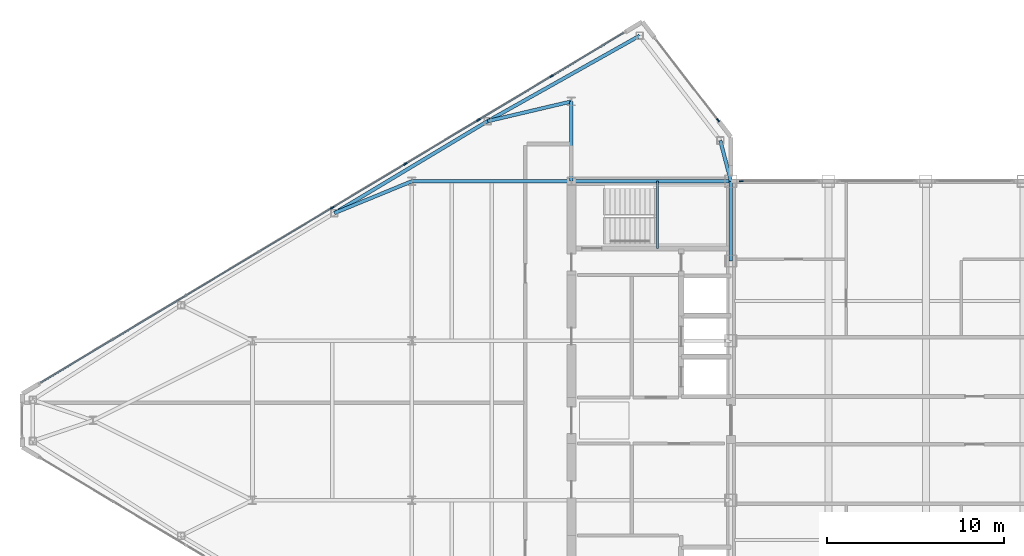
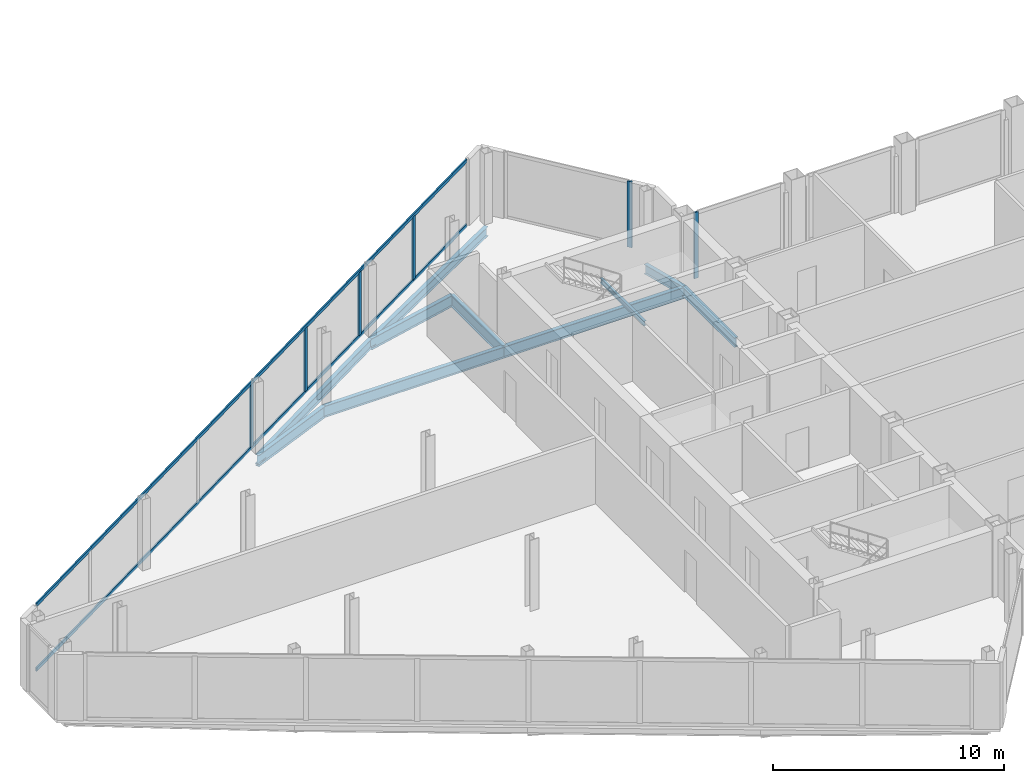
# One storey, part 11 of 28: 10 beams, 8 members, 3 elements without a shape of their own.
"""IFC4 building model written with IfcOpenShell, lengths in metres."""

from ifc_helpers import new_model, si_unit, direction, frame, origin, origin_2d, place, context, subcontext, project, spatial, rectangle, i_section, extrude, source, transform, mapped, material, layer, layer_set, material_profile, profile_set, type_object, type_shapes, element, aggregate, save


model = new_model("IFC4")

# Units and contexts
model_context = context("Model", 3, precision=1e-05, world=origin(), true_north=direction((0.0, 1.0)))
body_context = subcontext(model_context, "Body", "Model", "MODEL_VIEW")
ifc_project = project(units=[si_unit("LENGTHUNIT", "METRE"), si_unit("AREAUNIT", "SQUARE_METRE"), si_unit("VOLUMEUNIT", "CUBIC_METRE"), si_unit("PLANEANGLEUNIT", "RADIAN"), si_unit("MASSUNIT", "GRAM", prefix="KILO")], contexts=[model_context])

# Site, building, storey
site_placement = place(None, origin())
site = spatial("IfcSite", under=ifc_project, at=site_placement, CompositionType="ELEMENT")
building_placement = place(site_placement, origin())
building = spatial("IfcBuilding", under=site, at=building_placement, Name="Seokmaru Belvedere", CompositionType="ELEMENT")
storey_placement = place(building_placement, frame((0.0, 0.0, 265.64990234375)))
storey = spatial("IfcBuildingStorey", under=building, at=storey_placement, Name="L70", CompositionType="ELEMENT", Elevation=265.64990234375)

# Beams
ifc_material_1 = material(Name="Steel SM355 (355 MPa)", Category="steel")
ifc_material_profile_1 = material_profile(ifc_material_1, i_section(OverallWidth=0.199951171875, OverallDepth=0.5, WebThickness=0.010009765625, FlangeThickness=0.01611328125, at=origin_2d()), Name="H-500x200x10x16")
ifc_profile_set_1 = profile_set([ifc_material_profile_1], Name="Steel SM355 (355 MPa)")
beam_type_1 = type_object("IfcBeamType", Name="Perimeter Spandrel Beam H-500", PredefinedType="SPANDREL", material=ifc_profile_set_1)
shared_shape_1 = source(origin(), body_context, "Body", "SweptSolid", [
    extrude(i_section(OverallWidth=0.199951171875, OverallDepth=0.5, WebThickness=0.010009765625, FlangeThickness=0.01611328125, at=origin_2d()), origin(), (0.0, 0.0, 1.0), 4.5),
])
beam_1_placement = place(storey_placement, frame((-27.5, 9.0, -0.469970703125), z_axis=(0.0, 1.0, 0.0), x_axis=(-1.0, 0.0, 0.0)))
element("IfcBeam", 1, at=beam_1_placement, inside=storey, type_object=beam_type_1, Name="L70 W Portal Spine Spandrel 5", PredefinedType="SPANDREL", context=body_context, shape_type="MappedRepresentation", body=[
    mapped(shared_shape_1, transform((0.0, 0.0, 0.0), scale=1.0)),
])
ifc_material_profile_2 = material_profile(ifc_material_1, i_section(OverallWidth=0.199951171875, OverallDepth=0.60009765625, WebThickness=0.010986328125, FlangeThickness=0.01708984375, at=origin_2d()), Name="H-600x200x11x17")
ifc_profile_set_2 = profile_set([ifc_material_profile_2], Name="Steel SM355 (355 MPa)")
beam_type_2 = type_object("IfcBeamType", Name="Primary Floor Girder H-600", PredefinedType="BEAM", material=ifc_profile_set_2)
shared_shape_2 = source(origin(), body_context, "Body", "SweptSolid", [
    extrude(i_section(OverallWidth=0.199951171875, OverallDepth=0.60009765625, WebThickness=0.010986328125, FlangeThickness=0.01708984375, at=origin_2d()), origin(), (0.0, 0.0, 1.0), 9.0),
])
for number, where, z_axis, x_axis, name in (
    (2, (-36.5, 13.5, -0.52001953125), (1.0, 0.0, 0.0), (0.0, 1.0, 0.0), "L70 W Core Tie Girder 4"),
    (3, (-45.5, 13.5, -0.52001953125), (1.0, 0.0, 0.0), (0.0, 1.0, 0.0), "L70 W Wing Primary Girder 4"),
):
    element("IfcBeam", number, at=place(storey_placement, frame(where, z_axis=z_axis, x_axis=x_axis)), inside=storey, type_object=beam_type_2, Name=name, PredefinedType="BEAM", context=body_context, shape_type="MappedRepresentation", body=[
        mapped(shared_shape_2, transform((0.0, 0.0, 0.0), scale=1.0)),
    ])
shared_shape_3 = source(origin(), body_context, "Body", "SweptSolid", [
    extrude(i_section(OverallWidth=0.199951171875, OverallDepth=0.60009765625, WebThickness=0.010986328125, FlangeThickness=0.01708984375, at=origin_2d()), origin(), (0.0, 0.0, 1.0), 4.5),
])
beam_2_placement = place(storey_placement, frame((-36.5, 13.5, -0.52001953125), z_axis=(0.0, 1.0, 0.0), x_axis=(-1.0, 0.0, 0.0)))
element("IfcBeam", 4, at=beam_2_placement, inside=storey, type_object=beam_type_2, Name="L70 W Core Shoulder Girder N", PredefinedType="BEAM", context=body_context, shape_type="MappedRepresentation", body=[
    mapped(shared_shape_3, transform((0.0, 0.0, 0.0), scale=1.0)),
])
shared_shape_4 = source(origin(), body_context, "Body", "SweptSolid", [
    extrude(i_section(OverallWidth=0.199951171875, OverallDepth=0.5, WebThickness=0.010009765625, FlangeThickness=0.01611328125, at=origin_2d()), origin(), (0.0, 0.0, 1.0), 9.842041015625),
])
beam_3_placement = place(storey_placement, frame((-32.649658203125, 21.71044921875, -0.469970703125), z_axis=(-0.871782151818, -0.489893743349, 0.0), x_axis=(0.489893743349, -0.871782151818, 0.0)))
element("IfcBeam", 5, at=beam_3_placement, inside=storey, type_object=beam_type_1, Name="L70 W Faceted Flank Spandrel N-1", PredefinedType="SPANDREL", context=body_context, shape_type="MappedRepresentation", body=[
    mapped(shared_shape_4, transform((0.0, 0.0, 0.0), scale=1.0)),
])
shared_shape_5 = source(origin(), body_context, "Body", "SweptSolid", [
    extrude(i_section(OverallWidth=0.199951171875, OverallDepth=0.5, WebThickness=0.010009765625, FlangeThickness=0.01611328125, at=origin_2d()), origin(), (0.0, 0.0, 1.0), 10.087646484375),
])
beam_4_placement = place(storey_placement, frame((-41.229736328125, 16.888916015625, -0.469970703125), z_axis=(-0.857499332045, -0.514485078056, 0.0), x_axis=(0.514485078056, -0.857499332045, 0.0)))
element("IfcBeam", 6, at=beam_4_placement, inside=storey, type_object=beam_type_1, Name="L70 W Faceted Flank Spandrel N-2", PredefinedType="SPANDREL", context=body_context, shape_type="MappedRepresentation", body=[
    mapped(shared_shape_5, transform((0.0, 0.0, 0.0), scale=1.0)),
])
shared_shape_6 = source(origin(), body_context, "Body", "SweptSolid", [
    extrude(i_section(OverallWidth=0.199951171875, OverallDepth=0.5, WebThickness=0.010009765625, FlangeThickness=0.01611328125, at=origin_2d()), origin(), (0.0, 0.0, 1.0), 2.373046875),
])
type_shapes(beam_type_1, [shared_shape_1, shared_shape_4, shared_shape_5, shared_shape_6])
beam_5_placement = place(storey_placement, frame((-28.10009765625, 15.7958984375, -0.469970703125), z_axis=(0.252882558842, -0.967496982648, 0.0), x_axis=(0.967496982648, 0.252882558842, 0.0)))
element("IfcBeam", 7, at=beam_5_placement, inside=storey, type_object=beam_type_1, Name="L70 W Shoulder Spine Spandrel N", PredefinedType="SPANDREL", context=body_context, shape_type="MappedRepresentation", body=[
    mapped(shared_shape_6, transform((0.0, 0.0, 0.0), scale=1.0)),
])
shared_shape_7 = source(origin(), body_context, "Body", "SweptSolid", [
    extrude(i_section(OverallWidth=0.199951171875, OverallDepth=0.60009765625, WebThickness=0.010986328125, FlangeThickness=0.01708984375, at=origin_2d()), origin(), (0.0, 0.0, 1.0), 4.8583984375),
])
beam_6_placement = place(storey_placement, frame((-41.229736328125, 16.888916015625, -0.52001953125), z_axis=(0.97349948295, 0.228689214211, 0.0), x_axis=(-0.228689214211, 0.97349948295, 0.0)))
element("IfcBeam", 8, at=beam_6_placement, inside=storey, type_object=beam_type_2, Name="L70 W Flank Radial Floor Girder N-1", PredefinedType="BEAM", context=body_context, shape_type="MappedRepresentation", body=[
    mapped(shared_shape_7, transform((0.0, 0.0, 0.0), scale=1.0)),
])
shared_shape_8 = source(origin(), body_context, "Body", "SweptSolid", [
    extrude(i_section(OverallWidth=0.199951171875, OverallDepth=0.60009765625, WebThickness=0.010986328125, FlangeThickness=0.01708984375, at=origin_2d()), origin(), (0.0, 0.0, 1.0), 4.73583984375),
])
type_shapes(beam_type_2, [shared_shape_2, shared_shape_3, shared_shape_7, shared_shape_8])
beam_7_placement = place(storey_placement, frame((-49.8798828125, 11.698974609375, -0.52001953125), z_axis=(0.924860562953, 0.380306375301, 0.0), x_axis=(-0.380306375301, 0.924860562953, 0.0)))
element("IfcBeam", 9, at=beam_7_placement, inside=storey, type_object=beam_type_2, Name="L70 W Flank Radial Floor Girder N-2", PredefinedType="BEAM", context=body_context, shape_type="MappedRepresentation", body=[
    mapped(shared_shape_8, transform((0.0, 0.0, 0.0), scale=1.0)),
])

# Curtain wall, members
ifc_material_2 = material(Name="Bronze Triple Insulating Glass", Category="glass")
ifc_layer = layer(ifc_material_2, 0.219970703125)
ifc_layer_set = layer_set([ifc_layer], Name="Bronze Triple Insulating Glass")
curtain_wall_type = type_object("IfcCurtainWallType", Name="Sky-Gate Bridge Panorama Curtain Wall System CW-6", PredefinedType="NOTDEFINED", material=ifc_layer_set)
curtain_wall_1_placement = place(storey_placement, origin())
curtain_wall_1 = element("IfcCurtainWall", 10, at=curtain_wall_1_placement, inside=storey, type_object=curtain_wall_type, Name="L70 Curtain Wall WF3", PredefinedType="NOTDEFINED")
ifc_material_3 = material(Name="Anodised Bronze Aluminium", Category="aluminium")
ifc_material_profile_3 = material_profile(ifc_material_3, rectangle(XDim=0.074951171875, YDim=0.179931640625, at=origin_2d()), Name="CW-T-75x180")
ifc_profile_set_3 = profile_set([ifc_material_profile_3], Name="Anodised Bronze Aluminium")
member_type_1 = type_object("IfcMemberType", Name="Bronze Unitised Transom 75x180", PredefinedType="USERDEFINED", material=ifc_profile_set_3)
shared_shape_9 = source(origin(), body_context, "Body", "SweptSolid", [
    extrude(rectangle(XDim=0.074951171875, YDim=0.179931640625, at=origin_2d()), origin(), (0.0, 0.0, 1.0), 38.356689453125),
])
type_shapes(member_type_1, [shared_shape_9])
member_1_placement = place(storey_placement, frame((-33.5546875, 21.8671875, 0.03759765625), z_axis=(-0.857492925713, -0.514495755428, 0.0), x_axis=(0.514495755428, -0.857492925713, 0.0)))
member_1 = element("IfcMember", 11, at=member_1_placement, type_object=member_type_1, Name="CW:L70:WF3 Continuous Transom 1", ObjectType="TRANSOM", PredefinedType="USERDEFINED", context=body_context, shape_type="MappedRepresentation", body=[
    mapped(shared_shape_9, transform((0.0, 0.0, 0.0), scale=1.0)),
])
member_2_placement = place(storey_placement, frame((-33.5546875, 21.8671875, 3.45263671875), z_axis=(-0.857492925713, -0.514495755428, 0.0), x_axis=(0.514495755428, -0.857492925713, 0.0)))
member_2 = element("IfcMember", 12, at=member_2_placement, type_object=member_type_1, Name="CW:L70:WF3 Continuous Transom 2", ObjectType="TRANSOM", PredefinedType="USERDEFINED", context=body_context, shape_type="MappedRepresentation", body=[
    mapped(shared_shape_9, transform((0.0, 0.0, 0.0), scale=1.0)),
])

# Curtain wall, member
curtain_wall_2_placement = place(storey_placement, origin())
curtain_wall_2 = element("IfcCurtainWall", 13, at=curtain_wall_2_placement, inside=storey, type_object=curtain_wall_type, Name="L70 Curtain Wall WF2", PredefinedType="NOTDEFINED")
ifc_material_profile_4 = material_profile(ifc_material_3, rectangle(XDim=0.080078125, YDim=0.219970703125, at=origin_2d()), Name="CW-M-80x220")
ifc_profile_set_4 = profile_set([ifc_material_profile_4], Name="Anodised Bronze Aluminium")
member_type_2 = type_object("IfcMemberType", Name="Bronze Unitised Mullion 80x220", PredefinedType="MULLION", material=ifc_profile_set_4)
shared_shape_10 = source(origin(), body_context, "Body", "SweptSolid", [
    extrude(rectangle(XDim=0.080078125, YDim=0.219970703125, at=origin_2d()), origin(), (0.0, 0.0, 1.0), 3.489990234375),
])
member_3_placement = place(storey_placement, frame((-28.2255859375, 16.943115234375, 0.0), z_axis=(0.0, 0.0, 1.0), x_axis=(-0.792631353244, -0.609701187349, 0.0)))
member_3 = element("IfcMember", 14, at=member_3_placement, type_object=member_type_2, Name="CW:L70:WF2 Mullion 1", PredefinedType="MULLION", context=body_context, shape_type="MappedRepresentation", body=[
    mapped(shared_shape_10, transform((0.0, 0.0, 0.0), scale=1.0)),
])
aggregate(curtain_wall_2, [member_3])

curtain_wall_3_placement = place(storey_placement, origin())
curtain_wall_3 = element("IfcCurtainWall", 15, at=curtain_wall_3_placement, inside=storey, type_object=curtain_wall_type, Name="L70 Curtain Wall BR_N01", PredefinedType="NOTDEFINED")
member_4_placement = place(storey_placement, frame((-26.909912109375, 13.5, 0.0), z_axis=(0.0, 0.0, 1.0), x_axis=(0.0, -1.0, 0.0)))
member_4 = element("IfcMember", 16, at=member_4_placement, type_object=member_type_2, Name="CW:L70:BR_N01 Mullion 2", PredefinedType="MULLION", context=body_context, shape_type="MappedRepresentation", body=[
    mapped(shared_shape_10, transform((0.0, 0.0, 0.0), scale=1.0)),
])
aggregate(curtain_wall_3, [member_4])

# Member
shared_shape_11 = source(origin(), body_context, "Body", "SweptSolid", [
    extrude(rectangle(XDim=0.080078125, YDim=0.219970703125, at=origin_2d()), origin(), (0.0, 0.0, 1.0), 3.33984375),
])
type_shapes(member_type_2, [shared_shape_10, shared_shape_11])
member_5_placement = place(storey_placement, frame((-37.614501953125, 19.43115234375, 0.0751953125), z_axis=(0.0, 0.0, 1.0), x_axis=(0.514494909364, -0.85749343335, 0.0)))
member_5 = element("IfcMember", 17, at=member_5_placement, type_object=member_type_2, Name="CW:L70:WF3 Mullion 2", PredefinedType="MULLION", context=body_context, shape_type="MappedRepresentation", body=[
    mapped(shared_shape_11, transform((0.0, 0.0, 0.0), scale=1.0)),
])

member_6_placement = place(storey_placement, frame((-41.7431640625, 16.9541015625, 0.0751953125), z_axis=(0.0, 0.0, 1.0), x_axis=(0.514494909364, -0.85749343335, 0.0)))
member_6 = element("IfcMember", 18, at=member_6_placement, type_object=member_type_2, Name="CW:L70:WF3 Mullion 3", PredefinedType="MULLION", context=body_context, shape_type="MappedRepresentation", body=[
    mapped(shared_shape_11, transform((0.0, 0.0, 0.0), scale=1.0)),
])

member_7_placement = place(storey_placement, frame((-45.87158203125, 14.47705078125, 0.0751953125), z_axis=(0.0, 0.0, 1.0), x_axis=(0.514494909364, -0.85749343335, 0.0)))
member_7 = element("IfcMember", 19, at=member_7_placement, type_object=member_type_2, Name="CW:L70:WF3 Mullion 4", PredefinedType="MULLION", context=body_context, shape_type="MappedRepresentation", body=[
    mapped(shared_shape_11, transform((0.0, 0.0, 0.0), scale=1.0)),
])

member_8_placement = place(storey_placement, frame((-50.0, 12.0, 0.0751953125), z_axis=(0.0, 0.0, 1.0), x_axis=(0.514494909364, -0.85749343335, 0.0)))
member_8 = element("IfcMember", 20, at=member_8_placement, type_object=member_type_2, Name="CW:L70:WF3 Mullion 5", PredefinedType="MULLION", context=body_context, shape_type="MappedRepresentation", body=[
    mapped(shared_shape_11, transform((0.0, 0.0, 0.0), scale=1.0)),
])

aggregate(curtain_wall_1, [member_5, member_6, member_7, member_8, member_1, member_2])

# Beam
ifc_material_profile_5 = material_profile(ifc_material_1, i_section(OverallWidth=0.125, OverallDepth=0.25, WebThickness=0.006103515625, FlangeThickness=0.009033203125, at=origin_2d()), Name="H-250x125x6x9")
ifc_profile_set_5 = profile_set([ifc_material_profile_5], Name="Steel SM355 (355 MPa)")
beam_type_3 = type_object("IfcBeamType", Name="Stair Mid-Landing Support Beam H-250", PredefinedType="JOIST", material=ifc_profile_set_5)
shared_shape_12 = source(origin(), body_context, "Body", "SweptSolid", [
    extrude(i_section(OverallWidth=0.125, OverallDepth=0.25, WebThickness=0.006103515625, FlangeThickness=0.009033203125, at=origin_2d()), origin(), (0.0, 0.0, 1.0), 3.800048828125),
])
type_shapes(beam_type_3, [shared_shape_12])
beam_8_placement = place(storey_placement, frame((-31.64990234375, 9.699951171875, 1.550048828125), z_axis=(0.0, 1.0, 0.0), x_axis=(-1.0, 0.0, 0.0)))
element("IfcBeam", 21, at=beam_8_placement, inside=storey, type_object=beam_type_3, Name="L70 Stair ST-W2 Mid-Landing Support Beam 1", PredefinedType="JOIST", context=body_context, shape_type="MappedRepresentation", body=[
    mapped(shared_shape_12, transform((0.0, 0.0, 0.0), scale=1.0)),
])

save(model, "model.ifc")
